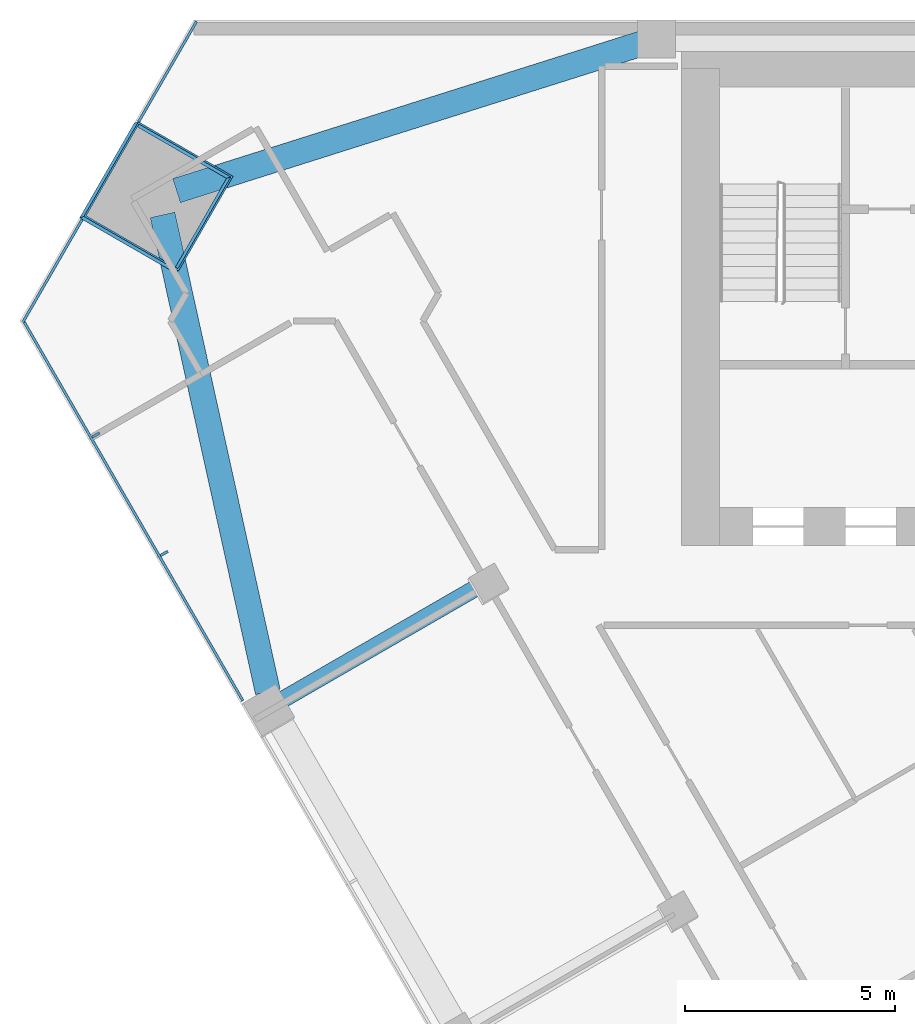
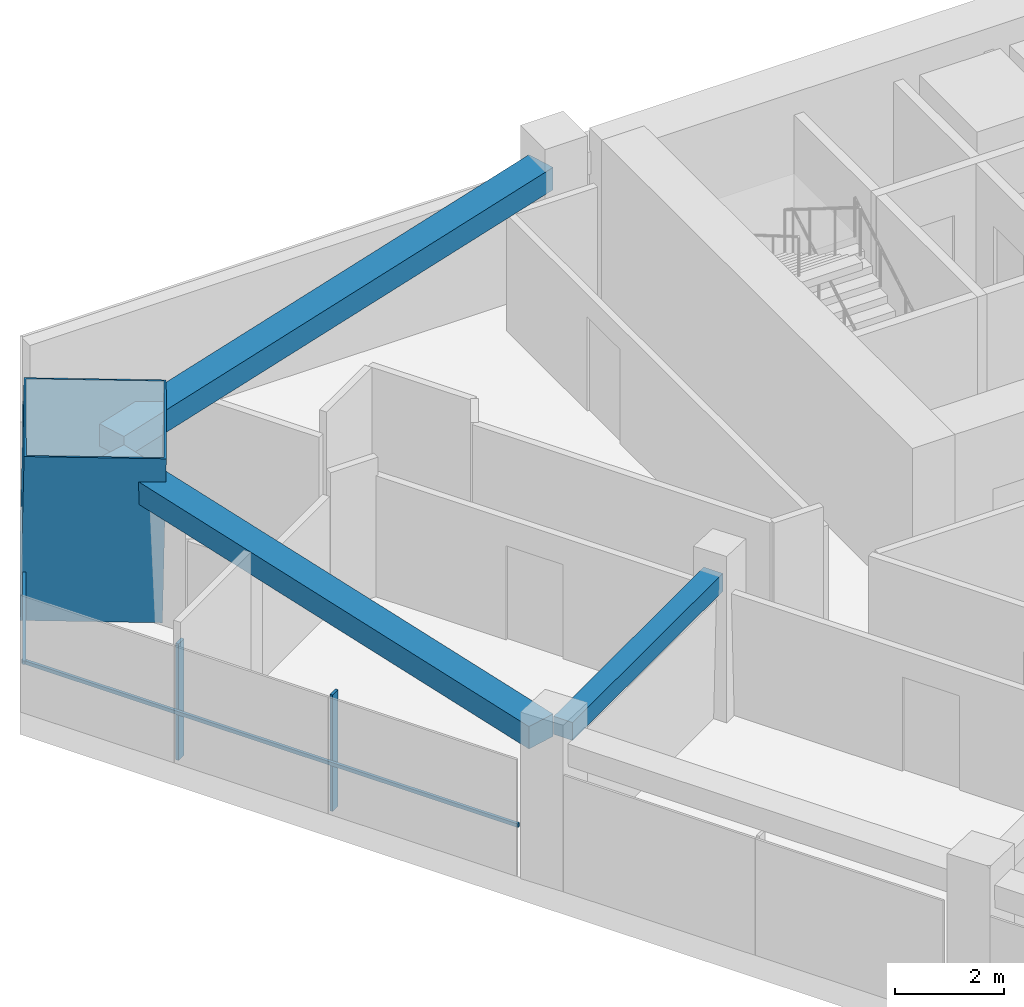
# One storey, part 5 of 14: 6 members, 3 beams, 2 elements without a shape of their own.
"""IFC4 building model written with IfcOpenShell, lengths in metres."""

from ifc_helpers import new_model, si_unit, direction, frame, origin, origin_2d, place, context, subcontext, project, spatial, rectangle, hollow_rectangle, extrude, material, layer, layer_set, material_profile, profile_set, type_object, element, aggregate, save


model = new_model("IFC4")

# Units and contexts
model_context = context("Model", 3, precision=1e-05, world=origin(), true_north=direction((0.0, 1.0)))
body_context = subcontext(model_context, "Body", "Model", "MODEL_VIEW")
ifc_project = project(units=[si_unit("LENGTHUNIT", "METRE"), si_unit("AREAUNIT", "SQUARE_METRE"), si_unit("VOLUMEUNIT", "CUBIC_METRE"), si_unit("PLANEANGLEUNIT", "RADIAN"), si_unit("MASSUNIT", "GRAM", prefix="KILO")], contexts=[model_context])

# Site, building, storey
site_placement = place(None, origin())
site = spatial("IfcSite", under=ifc_project, at=site_placement, CompositionType="ELEMENT")
building_placement = place(site_placement, origin())
building = spatial("IfcBuilding", under=site, at=building_placement, Name="Altiplano Prism Tower", CompositionType="ELEMENT")
storey_placement = place(building_placement, frame((0.0, 0.0, 108.0)))
storey = spatial("IfcBuildingStorey", under=building, at=storey_placement, Name="L27", CompositionType="ELEMENT", Elevation=108.0)

# Curtain wall, members
ifc_material_1 = material(Name="Aluminium and glass", Category="aluminium")
ifc_layer = layer(ifc_material_1, 0.303955078125)
ifc_layer_set = layer_set([ifc_layer], Name="Aluminium and glass")
curtain_wall_type = type_object("IfcCurtainWallType", Name="CW2 lounge-band unitised glazing", PredefinedType="NOTDEFINED", material=ifc_layer_set)
curtain_wall_1_placement = place(storey_placement, origin())
curtain_wall_1 = element("IfcCurtainWall", 1, at=curtain_wall_1_placement, inside=storey, type_object=curtain_wall_type, Name="CW2 curtain wall south-west face L27", PredefinedType="NOTDEFINED")
ifc_material_2 = material(Name="Aluminium", Category="aluminium")
ifc_material_profile_1 = material_profile(ifc_material_2, rectangle(XDim=0.199951171875, YDim=0.06005859375, at=origin_2d()), Name="CW2 mullion 60 x 200")
ifc_profile_set_1 = profile_set([ifc_material_profile_1], Name="Aluminium")
member_type_1 = type_object("IfcMemberType", Name="CW2 mullion 60 x 200", PredefinedType="MULLION", material=ifc_profile_set_1)
member_1_placement = place(storey_placement, frame((58.16357421875, 95.124755859375, 0.0), z_axis=(0.0, 0.0, 1.0), x_axis=(0.866025409675, 0.499999989797, 0.0)))
member_1 = element("IfcMember", 2, at=member_1_placement, type_object=member_type_1, Name="CW2 mullion", PredefinedType="MULLION", context=body_context, shape_type="SweptSolid", body=[
    extrude(rectangle(XDim=0.199951171875, YDim=0.06005859375, at=origin_2d()), origin(), (0.0, 0.0, 1.0), 2.60009765625),
])
member_2_placement = place(storey_placement, frame((59.789794921875, 92.307861328125, 0.0), z_axis=(0.0, 0.0, 1.0), x_axis=(0.866025409675, 0.499999989797, 0.0)))
member_2 = element("IfcMember", 3, at=member_2_placement, type_object=member_type_1, Name="CW2 mullion", PredefinedType="MULLION", context=body_context, shape_type="SweptSolid", body=[
    extrude(rectangle(XDim=0.199951171875, YDim=0.06005859375, at=origin_2d()), origin(), (0.0, 0.0, 1.0), 2.60009765625),
])

curtain_wall_2_placement = place(storey_placement, origin())
curtain_wall_2 = element("IfcCurtainWall", 4, at=curtain_wall_2_placement, inside=storey, type_object=curtain_wall_type, Name="CW2 curtain wall north-west chamfer L27", PredefinedType="NOTDEFINED")
ifc_material_profile_2 = material_profile(ifc_material_2, rectangle(XDim=0.06005859375, YDim=0.080078125, at=origin_2d()), Name="CW2 transom 80 x 60")
ifc_profile_set_2 = profile_set([ifc_material_profile_2], Name="Aluminium")
member_type_2 = type_object("IfcMemberType", Name="CW2 transom 80 x 60", PredefinedType="USERDEFINED", material=ifc_profile_set_2)
member_3_placement = place(storey_placement, frame((60.558837890625, 104.962890625, 1.10009765625), z_axis=(-0.500057523261, -0.865992190167, 0.0), x_axis=(0.865992190167, -0.500057523261, 0.0)))
member_3 = element("IfcMember", 5, at=member_3_placement, type_object=member_type_2, Name="CW2 transom", ObjectType="TRANSOM", PredefinedType="USERDEFINED", context=body_context, shape_type="SweptSolid", body=[
    extrude(rectangle(XDim=0.06005859375, YDim=0.080078125, at=origin_2d()), origin(), (0.0, 0.0, 1.0), 2.754150390625),
])
member_4_placement = place(storey_placement, frame((57.841796875, 100.257080078125, 1.10009765625), z_axis=(-0.500020697973, -0.866013453474, 0.0), x_axis=(0.866013453474, -0.500020697973, 0.0)))
member_4 = element("IfcMember", 6, at=member_4_placement, type_object=member_type_2, Name="CW2 transom", ObjectType="TRANSOM", PredefinedType="USERDEFINED", context=body_context, shape_type="SweptSolid", body=[
    extrude(rectangle(XDim=0.06005859375, YDim=0.080078125, at=origin_2d()), origin(), (0.0, 0.0, 1.0), 2.83447265625),
])
aggregate(curtain_wall_2, [member_3, member_4])

# Member
member_5_placement = place(storey_placement, frame((56.424560546875, 97.87646484375, 1.10009765625), z_axis=(0.500011605857, -0.866018703036, 0.0), x_axis=(0.866018703036, 0.500011605857, 0.0)))
member_5 = element("IfcMember", 7, at=member_5_placement, type_object=member_type_2, Name="CW2 transom", ObjectType="TRANSOM", PredefinedType="USERDEFINED", context=body_context, shape_type="SweptSolid", body=[
    extrude(rectangle(XDim=0.06005859375, YDim=0.080078125, at=origin_2d()), origin(), (0.0, 0.0, 1.0), 10.475830078125),
])

aggregate(curtain_wall_1, [member_1, member_2, member_5])

# Beams
ifc_material_3 = material(Name="Concrete C60/75", Category="concrete")
ifc_material_profile_3 = material_profile(ifc_material_3, rectangle(XDim=0.60009765625, YDim=0.5, at=origin_2d()), Name="Edge beam 600x500")
ifc_profile_set_3 = profile_set([ifc_material_profile_3], Name="Concrete C60/75")
beam_type_1 = type_object("IfcBeamType", Name="Edge beam 600x500", PredefinedType="SPANDREL", material=ifc_profile_set_3)
for number, where, z_axis, x_axis, name in (
    (8, (71.164306640625, 104.44384765625, 2.85009765625), (-0.953426637423, -0.301625010654, 0.0), (0.301625010654, -0.953426637423, 0.0), "Edge beam P04-M0 L28"),
    (9, (59.752685546875, 100.36376953125, 2.85009765625), (0.215506583123, -0.976502387417, 0.0), (0.976502387417, 0.215506583123, 0.0), "Edge beam M0-P11 L28"),
):
    element("IfcBeam", number, at=place(storey_placement, frame(where, z_axis=z_axis, x_axis=x_axis)), inside=storey, type_object=beam_type_1, Name=name, PredefinedType="SPANDREL", context=body_context, shape_type="SweptSolid", body=[
        extrude(rectangle(XDim=0.60009765625, YDim=0.5, at=origin_2d()), origin(), (0.0, 0.0, 1.0), 11.620849609375),
    ])

# Member
ifc_material_4 = material(Name="Steel S460", Category="steel")
ifc_material_profile_4 = material_profile(ifc_material_4, hollow_rectangle(XDim=2.60009765625, YDim=2.60009765625, WallThickness=0.0400390625, at=origin_2d()), Name="Mega column tube 2600")
ifc_profile_set_4 = profile_set([ifc_material_profile_4], Name="Steel S460")
member_type_3 = type_object("IfcMemberType", Name="Mega column tube 2600", PredefinedType="POST", material=ifc_profile_set_4)
member_6_placement = place(storey_placement, frame((59.553466796875, 100.769775390625, 0.0), z_axis=(0.028401796786, 0.009286506348, 0.999553449666), x_axis=(-0.866201942086, 0.499294741171, 0.019973907107)))
element("IfcMember", 10, at=member_6_placement, inside=storey, type_object=member_type_3, Name="Mega column tube M0 L27", PredefinedType="POST", context=body_context, shape_type="SweptSolid", body=[
    extrude(hollow_rectangle(XDim=2.60009765625, YDim=2.60009765625, WallThickness=0.0400390625, at=origin_2d()), origin(), (0.0, 0.0, 1.0), 3.601806640625),
])

# Beam
ifc_material_profile_5 = material_profile(ifc_material_3, rectangle(XDim=0.39990234375, YDim=0.39990234375, at=origin_2d()), Name="Tie beam 400x400")
ifc_profile_set_5 = profile_set([ifc_material_profile_5], Name="Concrete C60/75")
beam_type_2 = type_object("IfcBeamType", Name="Tie beam 400x400", PredefinedType="BEAM", material=ifc_profile_set_5)
beam_placement = place(storey_placement, frame((67.373291015625, 91.582275390625, 2.89990234375), z_axis=(-0.866023410697, -0.500003452112, 0.0), x_axis=(0.500003452112, -0.866023410697, 0.0)))
element("IfcBeam", 11, at=beam_placement, inside=storey, type_object=beam_type_2, Name="Tie beam I11 L28", PredefinedType="BEAM", context=body_context, shape_type="SweptSolid", body=[
    extrude(rectangle(XDim=0.39990234375, YDim=0.39990234375, at=origin_2d()), origin(), (0.0, 0.0, 1.0), 5.490234375),
])

save(model, "model.ifc")
